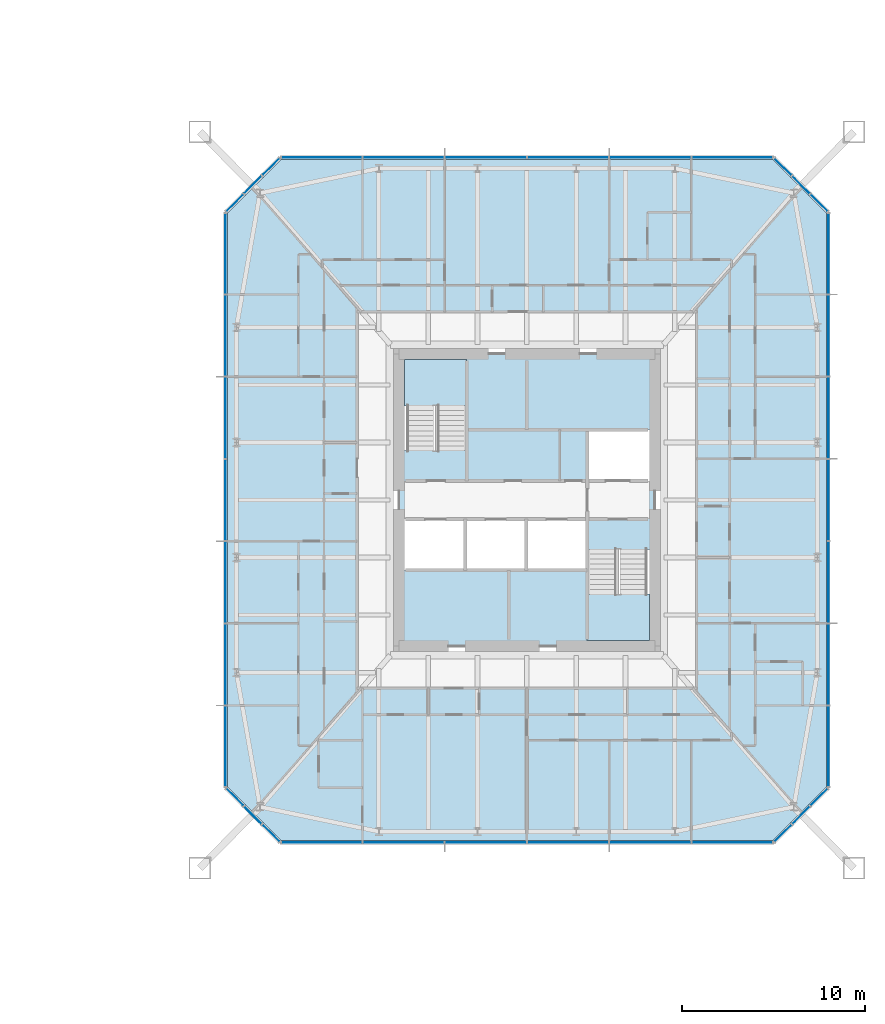
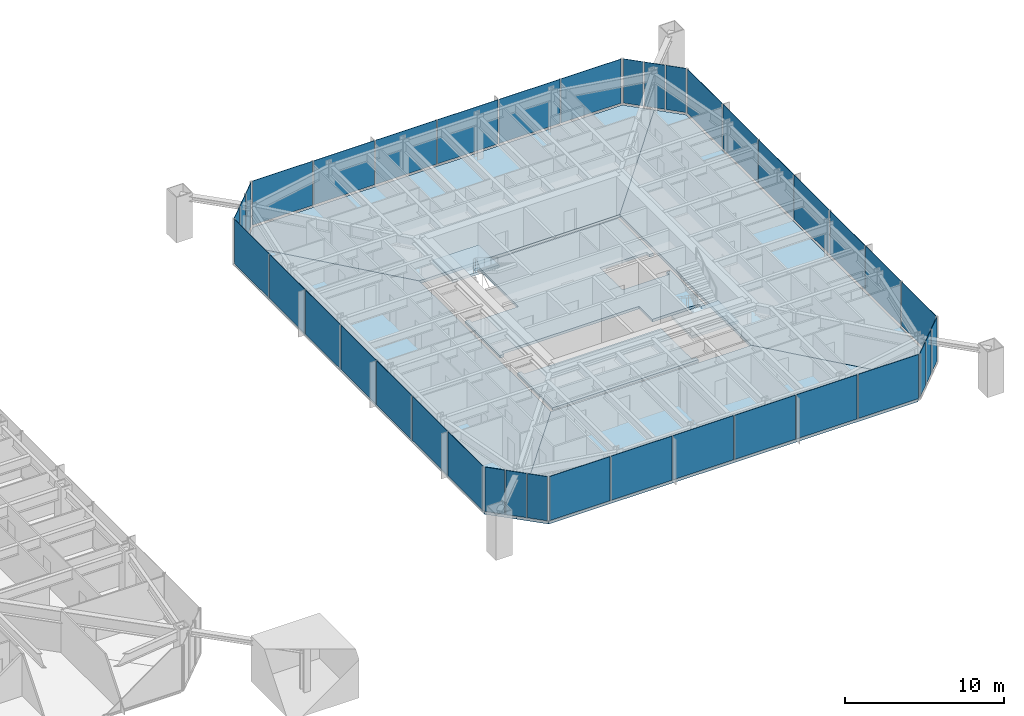
# One storey, part 13 of 26: 38 plates, 8 slabs, 10 elements without a shape of their own.
"""IFC4 building model written with IfcOpenShell, lengths in metres."""

from ifc_helpers import new_model, si_unit, direction, frame, origin, origin_2d, place, context, subcontext, project, spatial, polyline, rectangle, outline, extrude, material, layer, layer_set, constituent, constituent_set, type_object, element, aggregate, save


model = new_model("IFC4")

# Units and contexts
model_context = context("Model", 3, precision=1e-05, world=origin(), true_north=direction((0.0, 1.0)))
body_context = subcontext(model_context, "Body", "Model", "MODEL_VIEW")
ifc_project = project(units=[si_unit("LENGTHUNIT", "METRE"), si_unit("AREAUNIT", "SQUARE_METRE"), si_unit("VOLUMEUNIT", "CUBIC_METRE"), si_unit("PLANEANGLEUNIT", "RADIAN"), si_unit("MASSUNIT", "GRAM", prefix="KILO")], contexts=[model_context])

# Site, building, storey
site_placement = place(None, origin())
site = spatial("IfcSite", under=ifc_project, at=site_placement, CompositionType="ELEMENT")
building_placement = place(site_placement, origin())
building = spatial("IfcBuilding", under=site, at=building_placement, Name="Iwan Alto Co-Living Towers", CompositionType="ELEMENT")
storey_placement = place(building_placement, frame((0.0, 0.0, 29.0)))
storey = spatial("IfcBuildingStorey", under=building, at=storey_placement, Name="L07", CompositionType="ELEMENT", Elevation=29.0)

# Slabs
ifc_material_1 = material(Name="Concrete f'c 30 MPa", Category="concrete")
ifc_layer_1 = layer(ifc_material_1, 0.199951171875)
ifc_layer_set_1 = layer_set([ifc_layer_1], Name="CORE FLOOR SLAB 200")
slab_type_1 = type_object("IfcSlabType", Name="CORE FLOOR SLAB 200", PredefinedType="FLOOR", material=ifc_layer_set_1)
slab_1_placement = place(storey_placement, frame((0.0, 0.0, -0.199951171875)))
element("IfcSlab", 1, at=slab_1_placement, inside=storey, type_object=slab_type_1, Name="T2 core floor L07", PredefinedType="FLOOR", context=body_context, shape_type="SweptSolid", body=[
    extrude(outline(polyline([(70.0, -3.030029296875), (69.699951171875, -3.030029296875), (69.699951171875, -2.719970703125), (66.300048828125, -2.719970703125), (66.300048828125, -1.050048828125), (62.967041015625, -1.050048828125), (59.633056640625, -1.050048828125), (56.300048828125, -1.050048828125), (56.300048828125, -1.360107421875), (56.0, -1.360107421875), (56.0, 3.030029296875), (56.300048828125, 3.030029296875), (56.300048828125, 2.719970703125), (59.699951171875, 2.719970703125), (59.699951171875, 7.699951171875), (59.389892578125, 7.699951171875), (59.389892578125, 8.0), (70.0, 8.0), (70.0, 3.5400390625), (69.699951171875, 3.5400390625), (69.699951171875, 3.85009765625), (66.300048828125, 3.85009765625), (66.300048828125, 1.050048828125), (69.699951171875, 1.050048828125), (69.699951171875, 1.360107421875), (70.0, 1.360107421875), (70.0, -3.030029296875)])), origin(), (0.0, 0.0, 1.0), 0.199951171875),
])
slab_2_placement = place(storey_placement, frame((0.0, 0.0, -0.199951171875)))
element("IfcSlab", 2, at=slab_2_placement, inside=storey, type_object=slab_type_1, Name="T2 core floor L07", PredefinedType="FLOOR", context=body_context, shape_type="SweptSolid", body=[
    extrude(outline(polyline([(62.967041015625, -3.85009765625), (66.300048828125, -3.85009765625), (66.300048828125, -7.699951171875), (66.610107421875, -7.699951171875), (66.610107421875, -8.0), (56.0, -8.0), (56.0, -3.5400390625), (56.300048828125, -3.5400390625), (56.300048828125, -3.85009765625), (59.633056640625, -3.85009765625), (62.967041015625, -3.85009765625)])), origin(), (0.0, 0.0, 1.0), 0.199951171875),
])

# Curtain wall, plates
ifc_material_2 = material(Name="Bronze aluminium unitised frame", Category="aluminium")
curtain_wall_type_1 = type_object("IfcCurtainWallType", Name="CURTAIN WALL CW-C", PredefinedType="NOTDEFINED", material=ifc_material_2)
curtain_wall_1_placement = place(storey_placement, origin())
curtain_wall_1 = element("IfcCurtainWall", 3, at=curtain_wall_1_placement, inside=storey, type_object=curtain_wall_type_1, Name="T2 curtain wall S L07", PredefinedType="NOTDEFINED")
ifc_material_3 = material(Name="Bronze-tinted insulating glass", Category="glass")
ifc_layer_2 = layer(ifc_material_3, 0.031982421875)
ifc_layer_set_2 = layer_set([ifc_layer_2], Name="CW-C PANEL TINTED IGU 32")
plate_type_1 = type_object("IfcPlateType", Name="CW-C PANEL TINTED IGU 32", PredefinedType="CURTAIN_PANEL", material=ifc_layer_set_2)
plate_1_placement = place(storey_placement, frame((56.25, -18.75, 0.10009765625), z_axis=(0.0, 0.0, 1.0), x_axis=(1.0, 0.0, 0.0)))
plate_1 = element("IfcPlate", 4, at=plate_1_placement, type_object=plate_type_1, Name="CW-C panel 2.1", PredefinedType="CURTAIN_PANEL", context=body_context, shape_type="SweptSolid", body=[
    extrude(rectangle(XDim=4.419921875, YDim=0.031982421875, at=origin_2d()), origin(), (0.0, 0.0, 1.0), 3.39990234375),
])
plate_2_placement = place(storey_placement, frame((60.75, -18.75, 0.10009765625), z_axis=(0.0, 0.0, 1.0), x_axis=(1.0, 0.0, 0.0)))
plate_2 = element("IfcPlate", 5, at=plate_2_placement, type_object=plate_type_1, Name="CW-C panel 3.1", PredefinedType="CURTAIN_PANEL", context=body_context, shape_type="SweptSolid", body=[
    extrude(rectangle(XDim=4.419921875, YDim=0.031982421875, at=origin_2d()), origin(), (0.0, 0.0, 1.0), 3.39990234375),
])
plate_3_placement = place(storey_placement, frame((65.25, -18.75, 0.10009765625), z_axis=(0.0, 0.0, 1.0), x_axis=(1.0, 0.0, 0.0)))
plate_3 = element("IfcPlate", 6, at=plate_3_placement, type_object=plate_type_1, Name="CW-C panel 4.1", PredefinedType="CURTAIN_PANEL", context=body_context, shape_type="SweptSolid", body=[
    extrude(rectangle(XDim=4.419921875, YDim=0.031982421875, at=origin_2d()), origin(), (0.0, 0.0, 1.0), 3.39990234375),
])
plate_4_placement = place(storey_placement, frame((69.75, -18.75, 0.10009765625), z_axis=(0.0, 0.0, 1.0), x_axis=(1.0, 0.0, 0.0)))
plate_4 = element("IfcPlate", 7, at=plate_4_placement, type_object=plate_type_1, Name="CW-C panel 5.1", PredefinedType="CURTAIN_PANEL", context=body_context, shape_type="SweptSolid", body=[
    extrude(rectangle(XDim=4.419921875, YDim=0.031982421875, at=origin_2d()), origin(), (0.0, 0.0, 1.0), 3.39990234375),
])

curtain_wall_2_placement = place(storey_placement, origin())
curtain_wall_2 = element("IfcCurtainWall", 8, at=curtain_wall_2_placement, inside=storey, type_object=curtain_wall_type_1, Name="T2 curtain wall E L07", PredefinedType="NOTDEFINED")
plate_5_placement = place(storey_placement, frame((79.5, -9.0, 0.10009765625), z_axis=(0.0, 0.0, 1.0), x_axis=(0.0, 1.0, 0.0)))
plate_5 = element("IfcPlate", 9, at=plate_5_placement, type_object=plate_type_1, Name="CW-C panel 2.1", PredefinedType="CURTAIN_PANEL", context=body_context, shape_type="SweptSolid", body=[
    extrude(rectangle(XDim=4.419921875, YDim=0.031982421875, at=origin_2d()), origin(), (0.0, 0.0, 1.0), 3.39990234375),
])
plate_6_placement = place(storey_placement, frame((79.5, -4.5, 0.10009765625), z_axis=(0.0, 0.0, 1.0), x_axis=(0.0, 1.0, 0.0)))
plate_6 = element("IfcPlate", 10, at=plate_6_placement, type_object=plate_type_1, Name="CW-C panel 3.1", PredefinedType="CURTAIN_PANEL", context=body_context, shape_type="SweptSolid", body=[
    extrude(rectangle(XDim=4.419921875, YDim=0.031982421875, at=origin_2d()), origin(), (0.0, 0.0, 1.0), 3.39990234375),
])
plate_7_placement = place(storey_placement, frame((79.5, 0.0, 0.10009765625), z_axis=(0.0, 0.0, 1.0), x_axis=(0.0, 1.0, 0.0)))
plate_7 = element("IfcPlate", 11, at=plate_7_placement, type_object=plate_type_1, Name="CW-C panel 4.1", PredefinedType="CURTAIN_PANEL", context=body_context, shape_type="SweptSolid", body=[
    extrude(rectangle(XDim=4.419921875, YDim=0.031982421875, at=origin_2d()), origin(), (0.0, 0.0, 1.0), 3.39990234375),
])
plate_8_placement = place(storey_placement, frame((79.5, 4.5, 0.10009765625), z_axis=(0.0, 0.0, 1.0), x_axis=(0.0, 1.0, 0.0)))
plate_8 = element("IfcPlate", 12, at=plate_8_placement, type_object=plate_type_1, Name="CW-C panel 5.1", PredefinedType="CURTAIN_PANEL", context=body_context, shape_type="SweptSolid", body=[
    extrude(rectangle(XDim=4.419921875, YDim=0.031982421875, at=origin_2d()), origin(), (0.0, 0.0, 1.0), 3.39990234375),
])
plate_9_placement = place(storey_placement, frame((79.5, 9.0, 0.10009765625), z_axis=(0.0, 0.0, 1.0), x_axis=(0.0, 1.0, 0.0)))
plate_9 = element("IfcPlate", 13, at=plate_9_placement, type_object=plate_type_1, Name="CW-C panel 6.1", PredefinedType="CURTAIN_PANEL", context=body_context, shape_type="SweptSolid", body=[
    extrude(rectangle(XDim=4.419921875, YDim=0.031982421875, at=origin_2d()), origin(), (0.0, 0.0, 1.0), 3.39990234375),
])

curtain_wall_3_placement = place(storey_placement, origin())
curtain_wall_3 = element("IfcCurtainWall", 14, at=curtain_wall_3_placement, inside=storey, type_object=curtain_wall_type_1, Name="T2 curtain wall N L07", PredefinedType="NOTDEFINED")
plate_10_placement = place(storey_placement, frame((69.75, 18.75, 0.10009765625), z_axis=(0.0, 0.0, 1.0), x_axis=(-1.0, 0.0, 0.0)))
plate_10 = element("IfcPlate", 15, at=plate_10_placement, type_object=plate_type_1, Name="CW-C panel 2.1", PredefinedType="CURTAIN_PANEL", context=body_context, shape_type="SweptSolid", body=[
    extrude(rectangle(XDim=4.419921875, YDim=0.031982421875, at=origin_2d()), origin(), (0.0, 0.0, 1.0), 3.39990234375),
])
plate_11_placement = place(storey_placement, frame((65.25, 18.75, 0.10009765625), z_axis=(0.0, 0.0, 1.0), x_axis=(-1.0, 0.0, 0.0)))
plate_11 = element("IfcPlate", 16, at=plate_11_placement, type_object=plate_type_1, Name="CW-C panel 3.1", PredefinedType="CURTAIN_PANEL", context=body_context, shape_type="SweptSolid", body=[
    extrude(rectangle(XDim=4.419921875, YDim=0.031982421875, at=origin_2d()), origin(), (0.0, 0.0, 1.0), 3.39990234375),
])
plate_12_placement = place(storey_placement, frame((60.75, 18.75, 0.10009765625), z_axis=(0.0, 0.0, 1.0), x_axis=(-1.0, 0.0, 0.0)))
plate_12 = element("IfcPlate", 17, at=plate_12_placement, type_object=plate_type_1, Name="CW-C panel 4.1", PredefinedType="CURTAIN_PANEL", context=body_context, shape_type="SweptSolid", body=[
    extrude(rectangle(XDim=4.419921875, YDim=0.031982421875, at=origin_2d()), origin(), (0.0, 0.0, 1.0), 3.39990234375),
])
plate_13_placement = place(storey_placement, frame((56.25, 18.75, 0.10009765625), z_axis=(0.0, 0.0, 1.0), x_axis=(-1.0, 0.0, 0.0)))
plate_13 = element("IfcPlate", 18, at=plate_13_placement, type_object=plate_type_1, Name="CW-C panel 5.1", PredefinedType="CURTAIN_PANEL", context=body_context, shape_type="SweptSolid", body=[
    extrude(rectangle(XDim=4.419921875, YDim=0.031982421875, at=origin_2d()), origin(), (0.0, 0.0, 1.0), 3.39990234375),
])

curtain_wall_4_placement = place(storey_placement, origin())
curtain_wall_4 = element("IfcCurtainWall", 19, at=curtain_wall_4_placement, inside=storey, type_object=curtain_wall_type_1, Name="T2 curtain wall W L07", PredefinedType="NOTDEFINED")
plate_14_placement = place(storey_placement, frame((46.5, 9.0, 0.10009765625), z_axis=(0.0, 0.0, 1.0), x_axis=(0.0, -1.0, 0.0)))
plate_14 = element("IfcPlate", 20, at=plate_14_placement, type_object=plate_type_1, Name="CW-C panel 2.1", PredefinedType="CURTAIN_PANEL", context=body_context, shape_type="SweptSolid", body=[
    extrude(rectangle(XDim=4.419921875, YDim=0.031982421875, at=origin_2d()), origin(), (0.0, 0.0, 1.0), 3.39990234375),
])
plate_15_placement = place(storey_placement, frame((46.5, 4.5, 0.10009765625), z_axis=(0.0, 0.0, 1.0), x_axis=(0.0, -1.0, 0.0)))
plate_15 = element("IfcPlate", 21, at=plate_15_placement, type_object=plate_type_1, Name="CW-C panel 3.1", PredefinedType="CURTAIN_PANEL", context=body_context, shape_type="SweptSolid", body=[
    extrude(rectangle(XDim=4.419921875, YDim=0.031982421875, at=origin_2d()), origin(), (0.0, 0.0, 1.0), 3.39990234375),
])
plate_16_placement = place(storey_placement, frame((46.5, 0.0, 0.10009765625), z_axis=(0.0, 0.0, 1.0), x_axis=(0.0, -1.0, 0.0)))
plate_16 = element("IfcPlate", 22, at=plate_16_placement, type_object=plate_type_1, Name="CW-C panel 4.1", PredefinedType="CURTAIN_PANEL", context=body_context, shape_type="SweptSolid", body=[
    extrude(rectangle(XDim=4.419921875, YDim=0.031982421875, at=origin_2d()), origin(), (0.0, 0.0, 1.0), 3.39990234375),
])
plate_17_placement = place(storey_placement, frame((46.5, -4.5, 0.10009765625), z_axis=(0.0, 0.0, 1.0), x_axis=(0.0, -1.0, 0.0)))
plate_17 = element("IfcPlate", 23, at=plate_17_placement, type_object=plate_type_1, Name="CW-C panel 5.1", PredefinedType="CURTAIN_PANEL", context=body_context, shape_type="SweptSolid", body=[
    extrude(rectangle(XDim=4.419921875, YDim=0.031982421875, at=origin_2d()), origin(), (0.0, 0.0, 1.0), 3.39990234375),
])
plate_18_placement = place(storey_placement, frame((46.5, -9.0, 0.10009765625), z_axis=(0.0, 0.0, 1.0), x_axis=(0.0, -1.0, 0.0)))
plate_18 = element("IfcPlate", 24, at=plate_18_placement, type_object=plate_type_1, Name="CW-C panel 6.1", PredefinedType="CURTAIN_PANEL", context=body_context, shape_type="SweptSolid", body=[
    extrude(rectangle(XDim=4.419921875, YDim=0.031982421875, at=origin_2d()), origin(), (0.0, 0.0, 1.0), 3.39990234375),
])

# Plate
ifc_material_4 = material(Name="Insulated bronze aluminium spandrel panel", Category="aluminium")
ifc_layer_3 = layer(ifc_material_4, 0.031982421875)
ifc_layer_set_3 = layer_set([ifc_layer_3], Name="CW-C SPANDREL PANEL 32")
plate_type_2 = type_object("IfcPlateType", Name="CW-C SPANDREL PANEL 32", PredefinedType="CURTAIN_PANEL", material=ifc_layer_set_3)
plate_19_placement = place(storey_placement, frame((51.77001953125, -18.75, 0.10009765625), z_axis=(0.0, 0.0, 1.0), x_axis=(1.0, 0.0, 0.0)))
plate_19 = element("IfcPlate", 25, at=plate_19_placement, type_object=plate_type_2, Name="CW-C spandrel panel 1.1 (braced bay)", PredefinedType="CURTAIN_PANEL", context=body_context, shape_type="SweptSolid", body=[
    extrude(rectangle(XDim=4.3798828125, YDim=0.031982421875, at=origin_2d()), origin(), (0.0, 0.0, 1.0), 3.39990234375),
])

plate_20_placement = place(storey_placement, frame((74.22998046875, -18.75, 0.10009765625), z_axis=(0.0, 0.0, 1.0), x_axis=(1.0, 0.0, 0.0)))
plate_20 = element("IfcPlate", 26, at=plate_20_placement, type_object=plate_type_2, Name="CW-C spandrel panel 6.1 (braced bay)", PredefinedType="CURTAIN_PANEL", context=body_context, shape_type="SweptSolid", body=[
    extrude(rectangle(XDim=4.3798828125, YDim=0.031982421875, at=origin_2d()), origin(), (0.0, 0.0, 1.0), 3.39990234375),
])

aggregate(curtain_wall_1, [plate_1, plate_2, plate_3, plate_4, plate_19, plate_20])

plate_21_placement = place(storey_placement, frame((79.5, -13.47998046875, 0.10009765625), z_axis=(0.0, 0.0, 1.0), x_axis=(0.0, 1.0, 0.0)))
plate_21 = element("IfcPlate", 27, at=plate_21_placement, type_object=plate_type_2, Name="CW-C spandrel panel 1.1 (braced bay)", PredefinedType="CURTAIN_PANEL", context=body_context, shape_type="SweptSolid", body=[
    extrude(rectangle(XDim=4.3798828125, YDim=0.031982421875, at=origin_2d()), origin(), (0.0, 0.0, 1.0), 3.39990234375),
])

plate_22_placement = place(storey_placement, frame((79.5, 13.47998046875, 0.10009765625), z_axis=(0.0, 0.0, 1.0), x_axis=(0.0, 1.0, 0.0)))
plate_22 = element("IfcPlate", 28, at=plate_22_placement, type_object=plate_type_2, Name="CW-C spandrel panel 7.1 (braced bay)", PredefinedType="CURTAIN_PANEL", context=body_context, shape_type="SweptSolid", body=[
    extrude(rectangle(XDim=4.3798828125, YDim=0.031982421875, at=origin_2d()), origin(), (0.0, 0.0, 1.0), 3.39990234375),
])

aggregate(curtain_wall_2, [plate_5, plate_6, plate_7, plate_8, plate_9, plate_21, plate_22])

plate_23_placement = place(storey_placement, frame((74.22998046875, 18.75, 0.10009765625), z_axis=(0.0, 0.0, 1.0), x_axis=(-1.0, 0.0, 0.0)))
plate_23 = element("IfcPlate", 29, at=plate_23_placement, type_object=plate_type_2, Name="CW-C spandrel panel 1.1 (braced bay)", PredefinedType="CURTAIN_PANEL", context=body_context, shape_type="SweptSolid", body=[
    extrude(rectangle(XDim=4.3798828125, YDim=0.031982421875, at=origin_2d()), origin(), (0.0, 0.0, 1.0), 3.39990234375),
])

plate_24_placement = place(storey_placement, frame((51.77001953125, 18.75, 0.10009765625), z_axis=(0.0, 0.0, 1.0), x_axis=(-1.0, 0.0, 0.0)))
plate_24 = element("IfcPlate", 30, at=plate_24_placement, type_object=plate_type_2, Name="CW-C spandrel panel 6.1 (braced bay)", PredefinedType="CURTAIN_PANEL", context=body_context, shape_type="SweptSolid", body=[
    extrude(rectangle(XDim=4.3798828125, YDim=0.031982421875, at=origin_2d()), origin(), (0.0, 0.0, 1.0), 3.39990234375),
])

aggregate(curtain_wall_3, [plate_10, plate_11, plate_12, plate_13, plate_23, plate_24])

plate_25_placement = place(storey_placement, frame((46.5, 13.47998046875, 0.10009765625), z_axis=(0.0, 0.0, 1.0), x_axis=(0.0, -1.0, 0.0)))
plate_25 = element("IfcPlate", 31, at=plate_25_placement, type_object=plate_type_2, Name="CW-C spandrel panel 1.1 (braced bay)", PredefinedType="CURTAIN_PANEL", context=body_context, shape_type="SweptSolid", body=[
    extrude(rectangle(XDim=4.3798828125, YDim=0.031982421875, at=origin_2d()), origin(), (0.0, 0.0, 1.0), 3.39990234375),
])

plate_26_placement = place(storey_placement, frame((46.5, -13.47998046875, 0.10009765625), z_axis=(0.0, 0.0, 1.0), x_axis=(0.0, -1.0, 0.0)))
plate_26 = element("IfcPlate", 32, at=plate_26_placement, type_object=plate_type_2, Name="CW-C spandrel panel 7.1 (braced bay)", PredefinedType="CURTAIN_PANEL", context=body_context, shape_type="SweptSolid", body=[
    extrude(rectangle(XDim=4.3798828125, YDim=0.031982421875, at=origin_2d()), origin(), (0.0, 0.0, 1.0), 3.39990234375),
])

aggregate(curtain_wall_4, [plate_14, plate_15, plate_16, plate_17, plate_18, plate_25, plate_26])

# Curtain wall, plates
ifc_material_5 = material(Name="Bronze aluminium unitised frame", Category="aluminium")
curtain_wall_type_2 = type_object("IfcCurtainWallType", Name="CURTAIN WALL CW-D", PredefinedType="NOTDEFINED", material=ifc_material_5)
curtain_wall_5_placement = place(storey_placement, origin())
curtain_wall_5 = element("IfcCurtainWall", 33, at=curtain_wall_5_placement, inside=storey, type_object=curtain_wall_type_2, Name="T2 chamfer curtain wall SE L07", PredefinedType="NOTDEFINED")
ifc_material_6 = material(Name="Bronze-tinted insulating glass", Category="glass")
ifc_layer_4 = layer(ifc_material_6, 0.031982421875)
ifc_layer_set_4 = layer_set([ifc_layer_4], Name="CW-D PANEL TINTED IGU 32")
plate_type_3 = type_object("IfcPlateType", Name="CW-D PANEL TINTED IGU 32", PredefinedType="CURTAIN_PANEL", material=ifc_layer_set_4)
plate_27_placement = place(storey_placement, frame((77.01416015625, -18.23583984375, 0.10009765625), z_axis=(0.0, 0.0, 1.0), x_axis=(0.707106781187, 0.707106781187, 0.0)))
plate_27 = element("IfcPlate", 34, at=plate_27_placement, type_object=plate_type_3, Name="CW-D panel 1.1", PredefinedType="CURTAIN_PANEL", context=body_context, shape_type="SweptSolid", body=[
    extrude(rectangle(XDim=1.294189453125, YDim=0.031982421875, at=origin_2d()), origin(), (0.0, 0.0, 1.0), 3.39990234375),
])
plate_28_placement = place(storey_placement, frame((78.0, -17.25, 0.10009765625), z_axis=(0.0, 0.0, 1.0), x_axis=(0.707106781187, 0.707106781187, 0.0)))
plate_28 = element("IfcPlate", 35, at=plate_28_placement, type_object=plate_type_3, Name="CW-D panel 2.1", PredefinedType="CURTAIN_PANEL", context=body_context, shape_type="SweptSolid", body=[
    extrude(rectangle(XDim=1.334228515625, YDim=0.031982421875, at=origin_2d()), origin(), (0.0, 0.0, 1.0), 3.39990234375),
])
plate_29_placement = place(storey_placement, frame((78.98583984375, -16.26416015625, 0.10009765625), z_axis=(0.0, 0.0, 1.0), x_axis=(0.707106781187, 0.707106781187, 0.0)))
plate_29 = element("IfcPlate", 36, at=plate_29_placement, type_object=plate_type_3, Name="CW-D panel 3.1", PredefinedType="CURTAIN_PANEL", context=body_context, shape_type="SweptSolid", body=[
    extrude(rectangle(XDim=1.294189453125, YDim=0.031982421875, at=origin_2d()), origin(), (0.0, 0.0, 1.0), 3.39990234375),
])
aggregate(curtain_wall_5, [plate_27, plate_28, plate_29])

curtain_wall_6_placement = place(storey_placement, origin())
curtain_wall_6 = element("IfcCurtainWall", 37, at=curtain_wall_6_placement, inside=storey, type_object=curtain_wall_type_2, Name="T2 chamfer curtain wall NE L07", PredefinedType="NOTDEFINED")
plate_30_placement = place(storey_placement, frame((78.98583984375, 16.26416015625, 0.10009765625), z_axis=(0.0, 0.0, 1.0), x_axis=(-0.707106781187, 0.707106781187, 0.0)))
plate_30 = element("IfcPlate", 38, at=plate_30_placement, type_object=plate_type_3, Name="CW-D panel 1.1", PredefinedType="CURTAIN_PANEL", context=body_context, shape_type="SweptSolid", body=[
    extrude(rectangle(XDim=1.294189453125, YDim=0.031982421875, at=origin_2d()), origin(), (0.0, 0.0, 1.0), 3.39990234375),
])
plate_31_placement = place(storey_placement, frame((78.0, 17.25, 0.10009765625), z_axis=(0.0, 0.0, 1.0), x_axis=(-0.707106781187, 0.707106781187, 0.0)))
plate_31 = element("IfcPlate", 39, at=plate_31_placement, type_object=plate_type_3, Name="CW-D panel 2.1", PredefinedType="CURTAIN_PANEL", context=body_context, shape_type="SweptSolid", body=[
    extrude(rectangle(XDim=1.334228515625, YDim=0.031982421875, at=origin_2d()), origin(), (0.0, 0.0, 1.0), 3.39990234375),
])
plate_32_placement = place(storey_placement, frame((77.01416015625, 18.23583984375, 0.10009765625), z_axis=(0.0, 0.0, 1.0), x_axis=(-0.707106781187, 0.707106781187, 0.0)))
plate_32 = element("IfcPlate", 40, at=plate_32_placement, type_object=plate_type_3, Name="CW-D panel 3.1", PredefinedType="CURTAIN_PANEL", context=body_context, shape_type="SweptSolid", body=[
    extrude(rectangle(XDim=1.294189453125, YDim=0.031982421875, at=origin_2d()), origin(), (0.0, 0.0, 1.0), 3.39990234375),
])
aggregate(curtain_wall_6, [plate_30, plate_31, plate_32])

curtain_wall_7_placement = place(storey_placement, origin())
curtain_wall_7 = element("IfcCurtainWall", 41, at=curtain_wall_7_placement, inside=storey, type_object=curtain_wall_type_2, Name="T2 chamfer curtain wall NW L07", PredefinedType="NOTDEFINED")
plate_33_placement = place(storey_placement, frame((48.98583984375, 18.23583984375, 0.10009765625), z_axis=(0.0, 0.0, 1.0), x_axis=(-0.707106781187, -0.707106781187, 0.0)))
plate_33 = element("IfcPlate", 42, at=plate_33_placement, type_object=plate_type_3, Name="CW-D panel 1.1", PredefinedType="CURTAIN_PANEL", context=body_context, shape_type="SweptSolid", body=[
    extrude(rectangle(XDim=1.294189453125, YDim=0.031982421875, at=origin_2d()), origin(), (0.0, 0.0, 1.0), 3.39990234375),
])
plate_34_placement = place(storey_placement, frame((48.0, 17.25, 0.10009765625), z_axis=(0.0, 0.0, 1.0), x_axis=(-0.707106781187, -0.707106781187, 0.0)))
plate_34 = element("IfcPlate", 43, at=plate_34_placement, type_object=plate_type_3, Name="CW-D panel 2.1", PredefinedType="CURTAIN_PANEL", context=body_context, shape_type="SweptSolid", body=[
    extrude(rectangle(XDim=1.334228515625, YDim=0.031982421875, at=origin_2d()), origin(), (0.0, 0.0, 1.0), 3.39990234375),
])
plate_35_placement = place(storey_placement, frame((47.01416015625, 16.26416015625, 0.10009765625), z_axis=(0.0, 0.0, 1.0), x_axis=(-0.707106781187, -0.707106781187, 0.0)))
plate_35 = element("IfcPlate", 44, at=plate_35_placement, type_object=plate_type_3, Name="CW-D panel 3.1", PredefinedType="CURTAIN_PANEL", context=body_context, shape_type="SweptSolid", body=[
    extrude(rectangle(XDim=1.294189453125, YDim=0.031982421875, at=origin_2d()), origin(), (0.0, 0.0, 1.0), 3.39990234375),
])
aggregate(curtain_wall_7, [plate_33, plate_34, plate_35])

curtain_wall_8_placement = place(storey_placement, origin())
curtain_wall_8 = element("IfcCurtainWall", 45, at=curtain_wall_8_placement, inside=storey, type_object=curtain_wall_type_2, Name="T2 chamfer curtain wall SW L07", PredefinedType="NOTDEFINED")
plate_36_placement = place(storey_placement, frame((47.01416015625, -16.26416015625, 0.10009765625), z_axis=(0.0, 0.0, 1.0), x_axis=(0.707106781187, -0.707106781187, 0.0)))
plate_36 = element("IfcPlate", 46, at=plate_36_placement, type_object=plate_type_3, Name="CW-D panel 1.1", PredefinedType="CURTAIN_PANEL", context=body_context, shape_type="SweptSolid", body=[
    extrude(rectangle(XDim=1.294189453125, YDim=0.031982421875, at=origin_2d()), origin(), (0.0, 0.0, 1.0), 3.39990234375),
])
plate_37_placement = place(storey_placement, frame((48.0, -17.25, 0.10009765625), z_axis=(0.0, 0.0, 1.0), x_axis=(0.707106781187, -0.707106781187, 0.0)))
plate_37 = element("IfcPlate", 47, at=plate_37_placement, type_object=plate_type_3, Name="CW-D panel 2.1", PredefinedType="CURTAIN_PANEL", context=body_context, shape_type="SweptSolid", body=[
    extrude(rectangle(XDim=1.334228515625, YDim=0.031982421875, at=origin_2d()), origin(), (0.0, 0.0, 1.0), 3.39990234375),
])
plate_38_placement = place(storey_placement, frame((48.98583984375, -18.23583984375, 0.10009765625), z_axis=(0.0, 0.0, 1.0), x_axis=(0.707106781187, -0.707106781187, 0.0)))
plate_38 = element("IfcPlate", 48, at=plate_38_placement, type_object=plate_type_3, Name="CW-D panel 3.1", PredefinedType="CURTAIN_PANEL", context=body_context, shape_type="SweptSolid", body=[
    extrude(rectangle(XDim=1.294189453125, YDim=0.031982421875, at=origin_2d()), origin(), (0.0, 0.0, 1.0), 3.39990234375),
])
aggregate(curtain_wall_8, [plate_36, plate_37, plate_38])

# Stair, slab
ifc_material_7 = material(Name="Steel ASTM A36", Category="steel")
ifc_constituent_1 = constituent(ifc_material_7, Name="Stringers", Category="LoadBearing")
ifc_material_8 = material(Name="Concrete f'c 30 MPa", Category="concrete")
ifc_constituent_2 = constituent(ifc_material_8, Name="Tread fill", Category="Finish")
ifc_constituent_set = constituent_set(constituents=[ifc_constituent_1, ifc_constituent_2], Name="STAIR 3500 TWO-FLIGHT T2 CORE")
stair_type = type_object("IfcStairType", Name="STAIR 3500 TWO-FLIGHT T2 CORE", PredefinedType="HALF_TURN_STAIR", material=ifc_constituent_set)
stair_1_placement = place(storey_placement, origin())
stair_1 = element("IfcStair", 49, at=stair_1_placement, inside=storey, type_object=stair_type, Name="Stair T2-S1 L07 to L08", PredefinedType="HALF_TURN_STAIR")
ifc_material_9 = material(Name="Concrete f'c 30 MPa", Category="concrete")
ifc_layer_5 = layer(ifc_material_9, 0.199951171875)
ifc_layer_set_5 = layer_set([ifc_layer_5], Name="STAIR LANDING 200")
slab_type_2 = type_object("IfcSlabType", Name="STAIR LANDING 200", PredefinedType="LANDING", material=ifc_layer_set_5)
slab_3_placement = place(storey_placement, frame((0.0, 0.0, 1.550048828125)))
slab_3 = element("IfcSlab", 50, at=slab_3_placement, type_object=slab_type_2, Name="T2-S1 landing 1", PredefinedType="LANDING", context=body_context, shape_type="SweptSolid", body=[
    extrude(outline(polyline([(56.300048828125, 5.139892578125), (56.300048828125, 7.699951171875), (59.699951171875, 7.699951171875), (59.699951171875, 5.139892578125), (56.300048828125, 5.139892578125)])), origin(), (0.0, 0.0, 1.0), 0.199951171875),
])
aggregate(stair_1, [slab_3])

stair_2_placement = place(storey_placement, origin())
stair_2 = element("IfcStair", 51, at=stair_2_placement, inside=storey, type_object=stair_type, Name="Stair T2-S2 L07 to L08", PredefinedType="HALF_TURN_STAIR")
slab_4_placement = place(storey_placement, frame((0.0, 0.0, 1.550048828125)))
slab_4 = element("IfcSlab", 52, at=slab_4_placement, type_object=slab_type_2, Name="T2-S2 landing 1", PredefinedType="LANDING", context=body_context, shape_type="SweptSolid", body=[
    extrude(outline(polyline([(66.300048828125, -5.139892578125), (66.300048828125, -7.699951171875), (69.699951171875, -7.699951171875), (69.699951171875, -5.139892578125), (66.300048828125, -5.139892578125)])), origin(), (0.0, 0.0, 1.0), 0.199951171875),
])
aggregate(stair_2, [slab_4])

# Slabs
ifc_material_10 = material(Name="Concrete f'c 30 MPa", Category="concrete")
ifc_layer_6 = layer(ifc_material_10, 0.22998046875)
ifc_layer_set_6 = layer_set([ifc_layer_6], Name="T2 FLOOR SLAB 230")
slab_type_3 = type_object("IfcSlabType", Name="T2 FLOOR SLAB 230", PredefinedType="FLOOR", material=ifc_layer_set_6)
slab_5_placement = place(storey_placement, frame((0.0, 0.0, -0.22998046875)))
element("IfcSlab", 53, at=slab_5_placement, inside=storey, type_object=slab_type_3, Name="T2 floor slab L07 S pour", PredefinedType="FLOOR", context=body_context, shape_type="SweptSolid", body=[
    extrude(outline(polyline([(76.44140625, -18.64990234375), (49.55859375, -18.64990234375), (48.07568359375, -17.1669921875), (55.699951171875, -8.300048828125), (70.300048828125, -8.300048828125), (77.92431640625, -17.1669921875), (76.44140625, -18.64990234375)])), origin(), (0.0, 0.0, 1.0), 0.22998046875),
])
slab_6_placement = place(storey_placement, frame((0.0, 0.0, -0.22998046875)))
element("IfcSlab", 54, at=slab_6_placement, inside=storey, type_object=slab_type_3, Name="T2 floor slab L07 E pour", PredefinedType="FLOOR", context=body_context, shape_type="SweptSolid", body=[
    extrude(outline(polyline([(79.39990234375, 15.69140625), (79.39990234375, -15.69140625), (77.92431640625, -17.1669921875), (70.300048828125, -8.300048828125), (70.300048828125, 8.300048828125), (77.92431640625, 17.1669921875), (79.39990234375, 15.69140625)])), origin(), (0.0, 0.0, 1.0), 0.22998046875),
])
slab_7_placement = place(storey_placement, frame((0.0, 0.0, -0.22998046875)))
element("IfcSlab", 55, at=slab_7_placement, inside=storey, type_object=slab_type_3, Name="T2 floor slab L07 N pour", PredefinedType="FLOOR", context=body_context, shape_type="SweptSolid", body=[
    extrude(outline(polyline([(49.55859375, 18.64990234375), (76.44140625, 18.64990234375), (77.92431640625, 17.1669921875), (70.300048828125, 8.300048828125), (55.699951171875, 8.300048828125), (48.07568359375, 17.1669921875), (49.55859375, 18.64990234375)])), origin(), (0.0, 0.0, 1.0), 0.22998046875),
])
slab_8_placement = place(storey_placement, frame((0.0, 0.0, -0.22998046875)))
element("IfcSlab", 56, at=slab_8_placement, inside=storey, type_object=slab_type_3, Name="T2 floor slab L07 W pour", PredefinedType="FLOOR", context=body_context, shape_type="SweptSolid", body=[
    extrude(outline(polyline([(46.60009765625, 15.69140625), (48.07568359375, 17.1669921875), (55.699951171875, 8.300048828125), (55.699951171875, -8.300048828125), (48.07568359375, -17.1669921875), (46.60009765625, -15.69140625), (46.60009765625, 15.69140625)])), origin(), (0.0, 0.0, 1.0), 0.22998046875),
])

save(model, "model.ifc")
